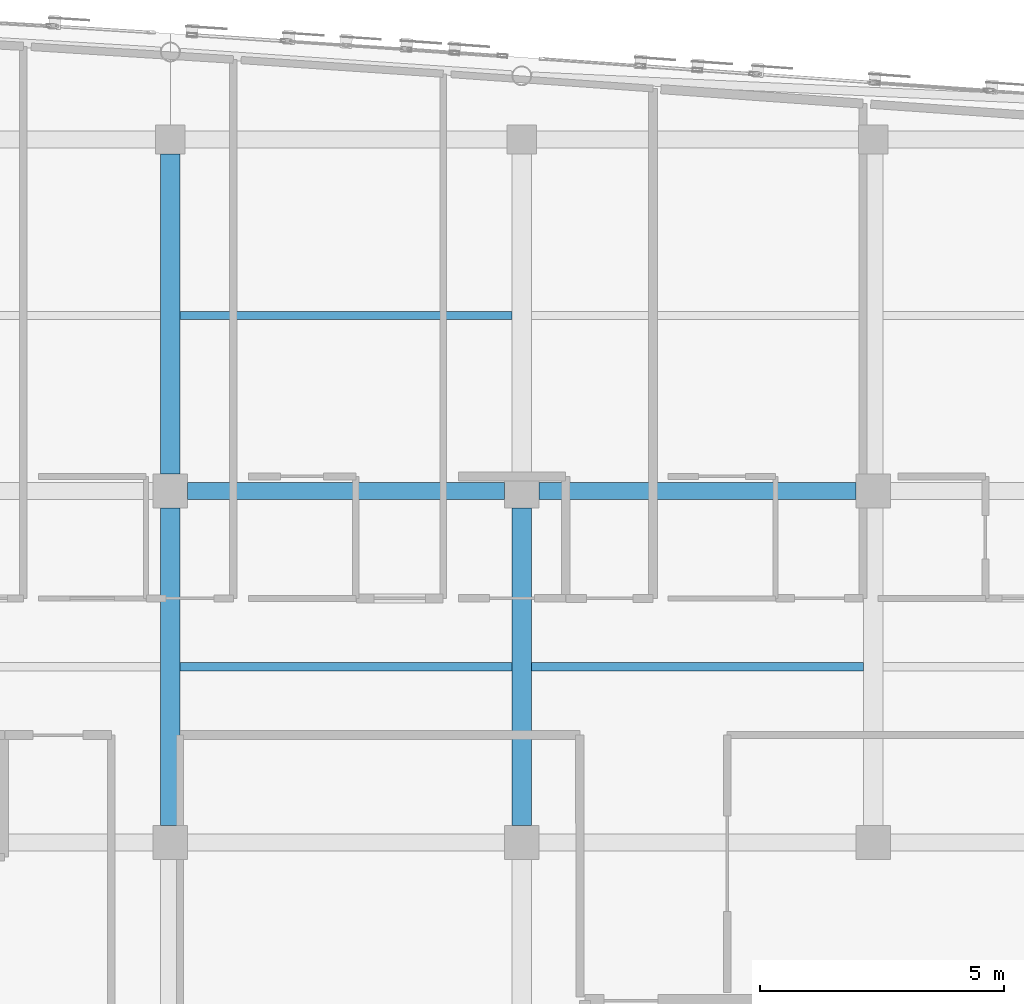
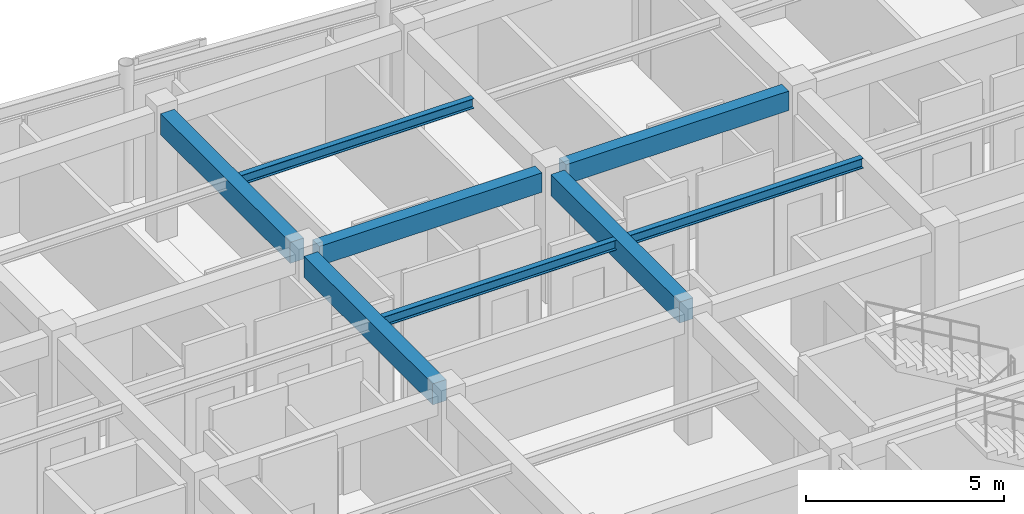
# One storey, part 53 of 113: 8 beams.
"""IFC4 building model written with IfcOpenShell, lengths in metres."""

from ifc_helpers import new_model, si_unit, direction, frame, origin, origin_2d, place, context, subcontext, project, spatial, rectangle, i_section, extrude, material, material_profile, profile_set, type_object, element, save


model = new_model("IFC4")

# Units and contexts
model_context = context("Model", 3, precision=1e-05, world=origin(), true_north=direction((0.0, 1.0)))
body_context = subcontext(model_context, "Body", "Model", "MODEL_VIEW")
ifc_project = project(units=[si_unit("LENGTHUNIT", "METRE"), si_unit("AREAUNIT", "SQUARE_METRE"), si_unit("VOLUMEUNIT", "CUBIC_METRE"), si_unit("PLANEANGLEUNIT", "RADIAN"), si_unit("MASSUNIT", "GRAM", prefix="KILO")], contexts=[model_context])

# Site, building, storey
site_placement = place(None, origin())
site = spatial("IfcSite", under=ifc_project, at=site_placement, CompositionType="ELEMENT")
building_placement = place(site_placement, origin())
building = spatial("IfcBuilding", under=site, at=building_placement, Name="Carrowvane Square Congress Hotel", CompositionType="ELEMENT")
storey_placement = place(building_placement, frame((0.0, 0.0, 15.0)))
storey = spatial("IfcBuildingStorey", under=building, at=storey_placement, Name="L03", CompositionType="ELEMENT", Elevation=15.0)

# Beams
ifc_material_1 = material(Name="Concrete C35/45", Category="concrete")
ifc_material_profile_1 = material_profile(ifc_material_1, rectangle(XDim=0.35009765625, YDim=0.60009765625, at=origin_2d()), Name="RC 350x600")
ifc_profile_set_1 = profile_set([ifc_material_profile_1], Name="Concrete C35/45")
beam_type_1 = type_object("IfcBeamType", Name="BM-RC-350x600", PredefinedType="BEAM", material=ifc_profile_set_1)
for number, where, z_axis, x_axis, name in (
    (1, (127.14990234375, 106.199951171875, 3.639892578125), (1.0, 0.0, 0.0), (0.0, 1.0, 0.0), "L04 girder Q/17-18"),
    (2, (134.35009765625, 106.199951171875, 3.639892578125), (1.0, 0.0, 0.0), (0.0, 1.0, 0.0), "L04 girder Q/18-19"),
):
    element("IfcBeam", number, at=place(storey_placement, frame(where, z_axis=z_axis, x_axis=x_axis)), inside=storey, type_object=beam_type_1, Name=name, PredefinedType="BEAM", context=body_context, shape_type="SweptSolid", body=[
        extrude(rectangle(XDim=0.35009765625, YDim=0.60009765625, at=origin_2d()), origin(), (0.0, 0.0, 1.0), 6.5),
    ])
ifc_material_2 = material(Name="Concrete C35/45", Category="concrete")
ifc_material_profile_2 = material_profile(ifc_material_2, rectangle(XDim=0.39990234375, YDim=0.64990234375, at=origin_2d()), Name="RC 400x650")
ifc_profile_set_2 = profile_set([ifc_material_profile_2], Name="Concrete C35/45")
beam_type_2 = type_object("IfcBeamType", Name="BM-RC-400x650", PredefinedType="BEAM", material=ifc_profile_set_2)
beam_1_placement = place(storey_placement, frame((126.800048828125, 99.35009765625, 3.614990234375), z_axis=(0.0, 1.0, 0.0), x_axis=(-1.0, 0.0, 0.0)))
element("IfcBeam", 3, at=beam_1_placement, inside=storey, type_object=beam_type_2, Name="L04 girder 17/P-Q", PredefinedType="BEAM", context=body_context, shape_type="SweptSolid", body=[
    extrude(rectangle(XDim=0.39990234375, YDim=0.64990234375, at=origin_2d()), origin(), (0.0, 0.0, 1.0), 6.5),
])
beam_2_placement = place(storey_placement, frame((126.800048828125, 106.550048828125, 3.614990234375), z_axis=(0.0, 1.0, 0.0), x_axis=(-1.0, 0.0, 0.0)))
element("IfcBeam", 4, at=beam_2_placement, inside=storey, type_object=beam_type_2, Name="L04 girder 17/Q-R", PredefinedType="BEAM", context=body_context, shape_type="SweptSolid", body=[
    extrude(rectangle(XDim=0.39990234375, YDim=0.64990234375, at=origin_2d()), origin(), (0.0, 0.0, 1.0), 6.550048828125),
])
beam_3_placement = place(storey_placement, frame((134.0, 99.35009765625, 3.614990234375), z_axis=(0.0, 1.0, 0.0), x_axis=(-1.0, 0.0, 0.0)))
element("IfcBeam", 5, at=beam_3_placement, inside=storey, type_object=beam_type_2, Name="L04 girder 18/P-Q", PredefinedType="BEAM", context=body_context, shape_type="SweptSolid", body=[
    extrude(rectangle(XDim=0.39990234375, YDim=0.64990234375, at=origin_2d()), origin(), (0.0, 0.0, 1.0), 6.5),
])
ifc_material_3 = material(Name="Steel S355", Category="steel")
ifc_material_profile_3 = material_profile(ifc_material_3, i_section(OverallWidth=0.165771484375, OverallDepth=0.306640625, WebThickness=0.006591796875, FlangeThickness=0.01171875, FilletRadius=0.0087890625, at=origin_2d()), Name="UKB 305x165x46")
ifc_profile_set_3 = profile_set([ifc_material_profile_3], Name="Steel S355")
beam_type_3 = type_object("IfcBeamType", Name="BM-ST-UKB305", PredefinedType="JOIST", material=ifc_profile_set_3)
for number, where, z_axis, x_axis, name in (
    (6, (127.0, 102.60009765625, 3.78662109375), (1.0, 0.0, 0.0), (0.0, 1.0, 0.0), "L04 secondary joist 17-18"),
    (7, (127.0, 109.800048828125, 3.78662109375), (1.0, 0.0, 0.0), (0.0, 1.0, 0.0), "L04 secondary joist 17-18"),
    (8, (134.199951171875, 102.60009765625, 3.78662109375), (1.0, 0.0, 0.0), (0.0, 1.0, 0.0), "L04 secondary joist 18-19"),
):
    element("IfcBeam", number, at=place(storey_placement, frame(where, z_axis=z_axis, x_axis=x_axis)), inside=storey, type_object=beam_type_3, Name=name, PredefinedType="JOIST", context=body_context, shape_type="SweptSolid", body=[
        extrude(i_section(OverallWidth=0.165771484375, OverallDepth=0.306640625, WebThickness=0.006591796875, FlangeThickness=0.01171875, FilletRadius=0.0087890625, at=origin_2d()), origin(), (0.0, 0.0, 1.0), 6.800048828125),
    ])

save(model, "model.ifc")
